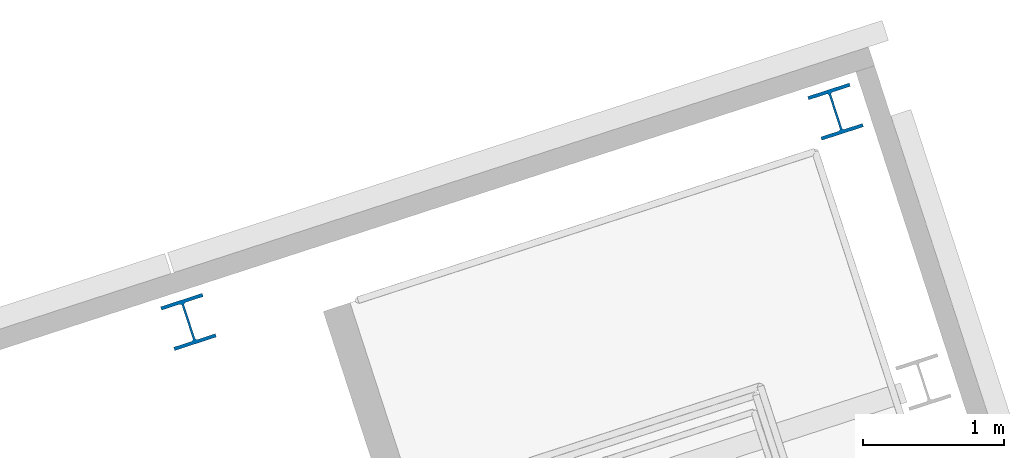
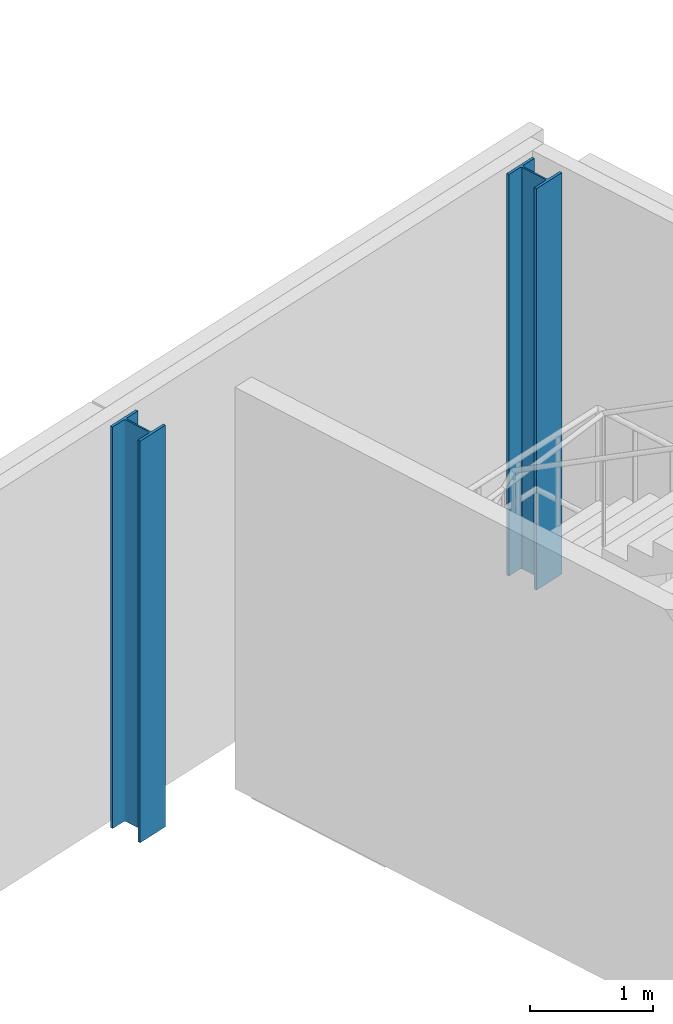
# One storey, part 3 of 81: 2 columns.
"""IFC4 building model written with IfcOpenShell, lengths in metres."""

from ifc_helpers import new_model, si_unit, direction, frame, origin, origin_2d, place, context, subcontext, project, spatial, i_section, extrude, material, material_profile, profile_set, type_object, element, save


model = new_model("IFC4")

# Units and contexts
model_context = context("Model", 3, precision=1e-05, world=origin(), true_north=direction((0.0, 1.0)))
body_context = subcontext(model_context, "Body", "Model", "MODEL_VIEW")
ifc_project = project(units=[si_unit("LENGTHUNIT", "METRE"), si_unit("AREAUNIT", "SQUARE_METRE"), si_unit("VOLUMEUNIT", "CUBIC_METRE"), si_unit("PLANEANGLEUNIT", "RADIAN"), si_unit("MASSUNIT", "GRAM", prefix="KILO")], contexts=[model_context])

# Site, building, storey
site_placement = place(None, origin())
site = spatial("IfcSite", under=ifc_project, at=site_placement, CompositionType="ELEMENT")
building_placement = place(site_placement, origin())
building = spatial("IfcBuilding", under=site, at=building_placement, Name="Tuart Plaza Theatre", CompositionType="ELEMENT")
storey_placement = place(building_placement, frame((0.0, 0.0, 17.5)))
storey = spatial("IfcBuildingStorey", under=building, at=storey_placement, Name="L04", CompositionType="ELEMENT", Elevation=17.5)

# Columns
ifc_material = material(Name="Steel Grade 300", Category="steel")
ifc_material_profile = material_profile(ifc_material, i_section(OverallWidth=0.31103515625, OverallDepth=0.326904296875, WebThickness=0.015625, FlangeThickness=0.02490234375, FilletRadius=0.0166015625, at=origin_2d()), Name="310UC158")
ifc_profile_set = profile_set([ifc_material_profile], Name="Steel Grade 300")
column_type = type_object("IfcColumnType", Name="COLUMN 310UC158", PredefinedType="COLUMN", material=ifc_profile_set)
for number, where, z_axis, x_axis, name in (
    (1, (58.151123046875, 95.11865234375, 0.0), (0.0, 0.0, 1.0), (0.951056516295, 0.309016994375, 0.0), "SC16"),
    (2, (62.747802734375, 96.6123046875, 0.0), (0.0, 0.0, 1.0), (0.951056516295, 0.309016994375, 0.0), "SC17"),
):
    element("IfcColumn", number, at=place(storey_placement, frame(where, z_axis=z_axis, x_axis=x_axis)), inside=storey, type_object=column_type, Name=name, PredefinedType="COLUMN", context=body_context, shape_type="SweptSolid", body=[
        extrude(i_section(OverallWidth=0.31103515625, OverallDepth=0.326904296875, WebThickness=0.015625, FlangeThickness=0.02490234375, FilletRadius=0.0166015625, at=origin_2d()), origin(), (0.0, 0.0, 1.0), 4.0),
    ])

save(model, "model.ifc")
